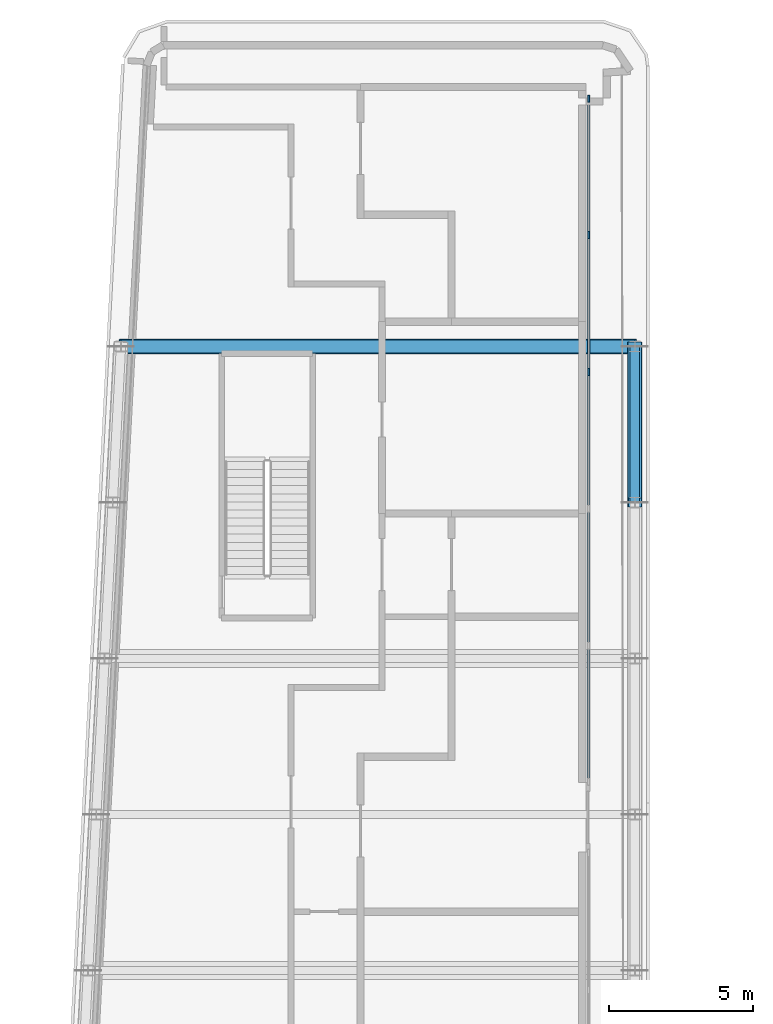
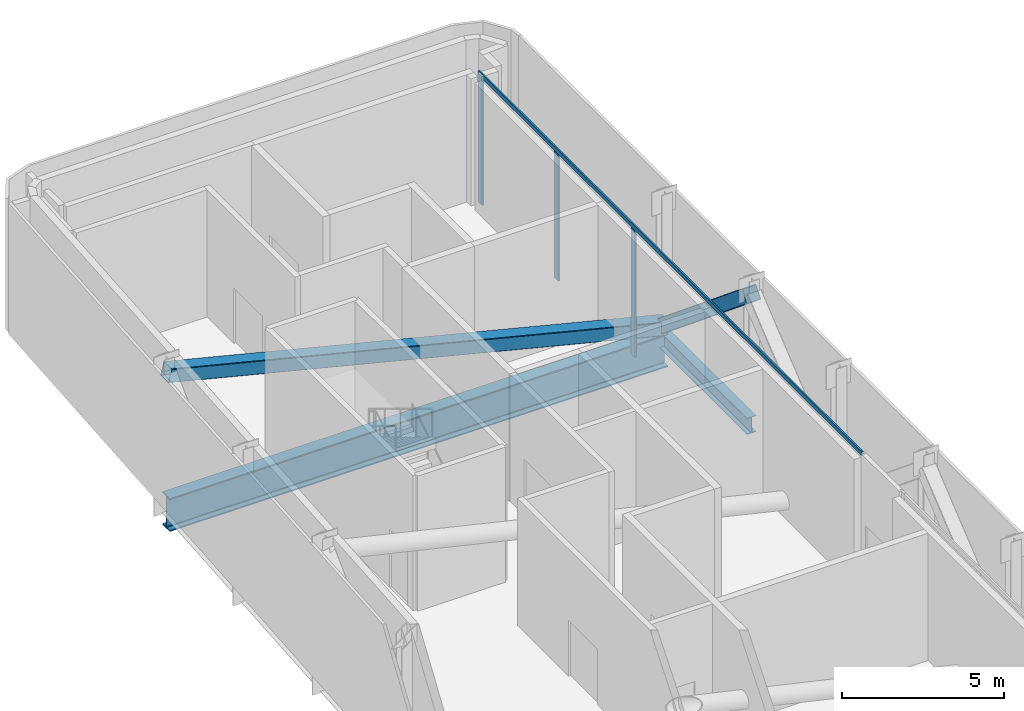
# One storey, part 6 of 18: 6 members, 2 beams, 1 element without a shape of its own.
"""IFC4 building model written with IfcOpenShell, lengths in metres."""

from ifc_helpers import new_model, si_unit, direction, frame, origin, origin_2d, place, context, subcontext, project, spatial, rectangle, hollow_rectangle, i_section, extrude, material, layer, layer_set, material_profile, profile_set, type_object, element, aggregate, save


model = new_model("IFC4")

# Units and contexts
model_context = context("Model", 3, precision=1e-05, world=origin(), true_north=direction((0.0, 1.0)))
body_context = subcontext(model_context, "Body", "Model", "MODEL_VIEW")
ifc_project = project(units=[si_unit("LENGTHUNIT", "METRE"), si_unit("AREAUNIT", "SQUARE_METRE"), si_unit("VOLUMEUNIT", "CUBIC_METRE"), si_unit("PLANEANGLEUNIT", "RADIAN"), si_unit("MASSUNIT", "GRAM", prefix="KILO")], contexts=[model_context])

# Site, building, storey
site_placement = place(None, origin())
site = spatial("IfcSite", under=ifc_project, at=site_placement, CompositionType="ELEMENT")
building_placement = place(site_placement, origin())
building = spatial("IfcBuilding", under=site, at=building_placement, Name="Kheshtan School and Residences Tower", CompositionType="ELEMENT")
storey_placement = place(building_placement, frame((0.0, 0.0, 333.199951171875)))
storey = spatial("IfcBuildingStorey", under=building, at=storey_placement, Name="L78", CompositionType="ELEMENT", Elevation=333.199951171875)

# Beam
ifc_material_1 = material(Name="Steel ASTM A992 Grade 50", Category="steel")
ifc_material_profile_1 = material_profile(ifc_material_1, i_section(OverallWidth=0.324951171875, OverallDepth=0.615966796875, WebThickness=0.013916015625, FlangeThickness=0.021484375, FilletRadius=0.0185546875, at=origin_2d()), Name="W610x174")
ifc_profile_set_1 = profile_set([ifc_material_profile_1], Name="Steel ASTM A992 Grade 50")
beam_type_1 = type_object("IfcBeamType", Name="Beam SP5 W610x174 ASTM A992 Grade 50", PredefinedType="BEAM", material=ifc_profile_set_1)
beam_1_placement = place(storey_placement, frame((47.60009765625, 88.800048828125, -0.4580078125), z_axis=(0.0, -1.0, 0.0), x_axis=(1.0, 0.0, 0.0)))
element("IfcBeam", 1, at=beam_1_placement, inside=storey, type_object=beam_type_1, Name="Spandrel beam C099-C091", PredefinedType="BEAM", context=body_context, shape_type="SweptSolid", body=[
    extrude(i_section(OverallWidth=0.324951171875, OverallDepth=0.615966796875, WebThickness=0.013916015625, FlangeThickness=0.021484375, FilletRadius=0.0185546875, at=origin_2d()), origin(), (0.0, 0.0, 1.0), 5.400146484375),
])

# Curtain wall, members
ifc_material_2 = material(Name="Clear low-e glass in thermally broken aluminium frame", Category="aluminium")
ifc_layer = layer(ifc_material_2, 0.25)
ifc_layer_set = layer_set([ifc_layer], Name="Curtain wall CW-G")
curtain_wall_type = type_object("IfcCurtainWallType", Name="Curtain wall CW-G", PredefinedType="NOTDEFINED", material=ifc_layer_set)
curtain_wall_placement = place(storey_placement, origin())
curtain_wall = element("IfcCurtainWall", 2, at=curtain_wall_placement, inside=storey, type_object=curtain_wall_type, Name="Curtain wall CWG19", PredefinedType="NOTDEFINED")
ifc_material_3 = material(Name="Thermally broken aluminium, dark bronze anodised", Category="aluminium")
ifc_material_profile_2 = material_profile(ifc_material_3, rectangle(XDim=0.06005859375, YDim=0.25, at=origin_2d()), Name="CW-G mullion 60x250")
ifc_profile_set_2 = profile_set([ifc_material_profile_2], Name="Thermally broken aluminium, dark bronze anodised")
member_type_1 = type_object("IfcMemberType", Name="CW-G mullion 60x250", PredefinedType="MULLION", material=ifc_profile_set_2)
member_1_placement = place(storey_placement, frame((46.0, 97.3701171875, 0.0), z_axis=(0.0, 0.0, 1.0), x_axis=(1.0, 0.0, 0.0)))
member_1 = element("IfcMember", 3, at=member_1_placement, type_object=member_type_1, Name="CWG19 mullion 1", PredefinedType="MULLION", context=body_context, shape_type="SweptSolid", body=[
    extrude(rectangle(XDim=0.06005859375, YDim=0.25, at=origin_2d()), origin(), (0.0, 0.0, 1.0), 4.949951171875),
])
member_2_placement = place(storey_placement, frame((46.0, 92.659912109375, 0.0), z_axis=(0.0, 0.0, 1.0), x_axis=(1.0, 0.0, 0.0)))
member_2 = element("IfcMember", 4, at=member_2_placement, type_object=member_type_1, Name="CWG19 mullion 2", PredefinedType="MULLION", context=body_context, shape_type="SweptSolid", body=[
    extrude(rectangle(XDim=0.06005859375, YDim=0.25, at=origin_2d()), origin(), (0.0, 0.0, 1.0), 4.7900390625),
])
member_3_placement = place(storey_placement, frame((46.0, 87.919921875, 0.0), z_axis=(0.0, 0.0, 1.0), x_axis=(1.0, 0.0, 0.0)))
member_3 = element("IfcMember", 5, at=member_3_placement, type_object=member_type_1, Name="CWG19 mullion 3", PredefinedType="MULLION", context=body_context, shape_type="SweptSolid", body=[
    extrude(rectangle(XDim=0.06005859375, YDim=0.25, at=origin_2d()), origin(), (0.0, 0.0, 1.0), 4.7900390625),
])
ifc_material_profile_3 = material_profile(ifc_material_3, rectangle(XDim=0.06005859375, YDim=0.159912109375, at=origin_2d()), Name="CW-G transom 60x160")
ifc_profile_set_3 = profile_set([ifc_material_profile_3], Name="Thermally broken aluminium, dark bronze anodised")
member_type_2 = type_object("IfcMemberType", Name="CW-G transom 60x160", PredefinedType="USERDEFINED", material=ifc_profile_set_3)
member_4_placement = place(storey_placement, frame((46.0, 97.340087890625, 4.8701171875), z_axis=(0.0, -1.0, 0.0), x_axis=(1.0, 0.0, 0.0)))
member_4 = element("IfcMember", 6, at=member_4_placement, type_object=member_type_2, Name="CWG19 transom 1", ObjectType="TRANSOM", PredefinedType="USERDEFINED", context=body_context, shape_type="SweptSolid", body=[
    extrude(rectangle(XDim=0.06005859375, YDim=0.159912109375, at=origin_2d()), origin(), (0.0, 0.0, 1.0), 23.580078125),
])
aggregate(curtain_wall, [member_1, member_2, member_3, member_4])

# Members
ifc_material_4 = material(Name="Steel ASTM A500 Grade C", Category="steel")
ifc_material_profile_4 = material_profile(ifc_material_4, hollow_rectangle(XDim=0.508056640625, YDim=0.508056640625, WallThickness=0.01904296875, InnerFilletRadius=0.01904296875, OuterFilletRadius=0.0380859375, at=origin_2d()), Name="HSS 508x508x19")
ifc_profile_set_4 = profile_set([ifc_material_profile_4], Name="Steel ASTM A500 Grade C")
member_type_3 = type_object("IfcMemberType", Name="Member BT2 HSS 508x508x19 ASTM A500 Grade C", PredefinedType="BRACE", material=ifc_profile_set_4)
member_5_placement = place(storey_placement, frame((47.60009765625, 88.800048828125, 0.050048828125), z_axis=(0.0, -0.77221535541, 0.635360877666), x_axis=(1.0, 0.0, 0.0)))
element("IfcMember", 7, at=member_5_placement, inside=storey, type_object=member_type_3, Name="Belt truss diagonal C099-C091", PredefinedType="BRACE", context=body_context, shape_type="SweptSolid", body=[
    extrude(hollow_rectangle(XDim=0.508056640625, YDim=0.508056640625, WallThickness=0.01904296875, InnerFilletRadius=0.01904296875, OuterFilletRadius=0.0380859375, at=origin_2d()), origin(), (0.0, 0.0, 1.0), 6.9931640625),
])
member_6_placement = place(storey_placement, frame((47.60009765625, 88.800048828125, 0.050048828125), z_axis=(-0.970195737389, 0.0, 0.242322576646), x_axis=(0.0, -1.0, 0.0)))
element("IfcMember", 8, at=member_6_placement, inside=storey, type_object=member_type_3, Name="Belt truss diagonal C098-C099", PredefinedType="BRACE", context=body_context, shape_type="SweptSolid", body=[
    extrude(hollow_rectangle(XDim=0.508056640625, YDim=0.508056640625, WallThickness=0.01904296875, InnerFilletRadius=0.01904296875, OuterFilletRadius=0.0380859375, at=origin_2d()), origin(), (0.0, 0.0, 1.0), 18.33544921875),
])

# Beam
ifc_material_profile_5 = material_profile(ifc_material_1, i_section(OverallWidth=0.449951171875, OverallDepth=1.25, WebThickness=0.02490234375, FlangeThickness=0.044921875, FilletRadius=0.03759765625, at=origin_2d()), Name="WWF1250x546")
ifc_profile_set_5 = profile_set([ifc_material_profile_5], Name="Steel ASTM A992 Grade 50")
beam_type_2 = type_object("IfcBeamType", Name="Transfer girder TG4 WWF1250x546 ASTM A992 Grade 50", PredefinedType="BEAM", material=ifc_profile_set_5)
beam_2_placement = place(storey_placement, frame((29.81103515625, 88.800048828125, -0.77490234375), z_axis=(1.0, 0.0, 0.0), x_axis=(0.0, 1.0, 0.0)))
element("IfcBeam", 9, at=beam_2_placement, inside=storey, type_object=beam_type_2, Name="Transfer girder C098-C099", PredefinedType="BEAM", context=body_context, shape_type="SweptSolid", body=[
    extrude(i_section(OverallWidth=0.449951171875, OverallDepth=1.25, WebThickness=0.02490234375, FlangeThickness=0.044921875, FilletRadius=0.03759765625, at=origin_2d()), origin(), (0.0, 0.0, 1.0), 17.7890625),
])

save(model, "model.ifc")
